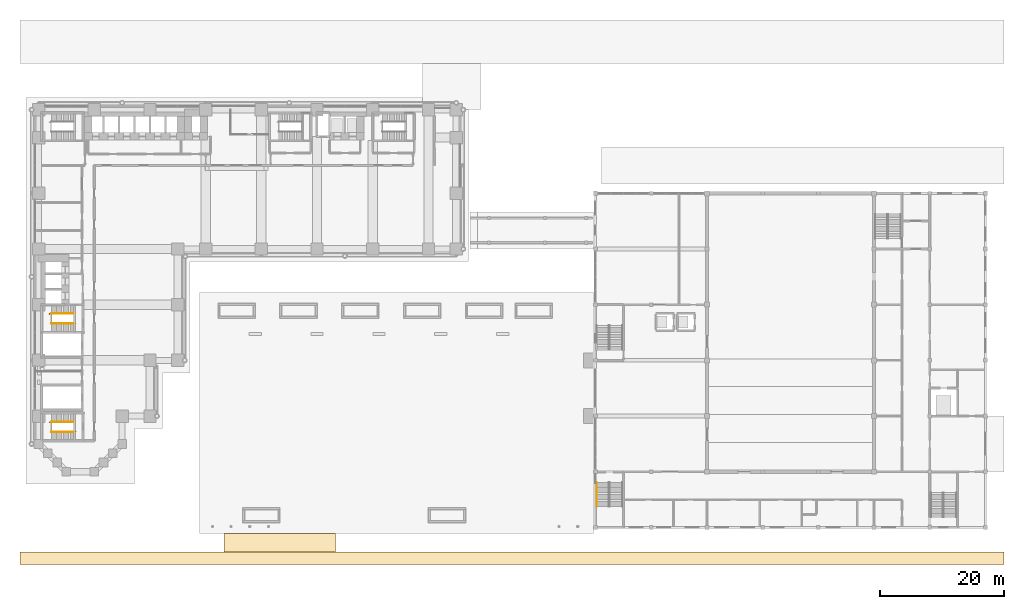
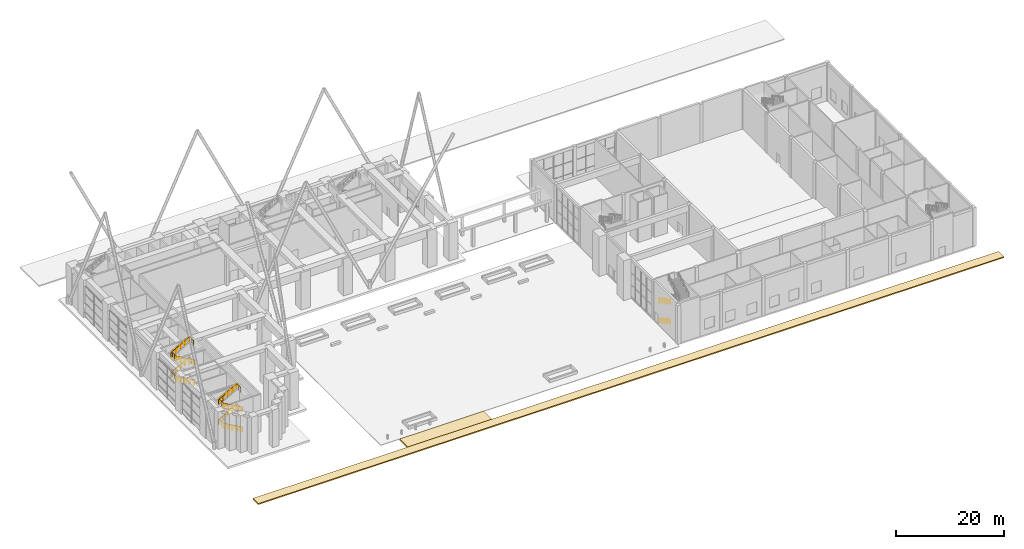
# One storey, part 38 of 44: 12 railings, 2 coverings.
"""IFC4 building model written with IfcOpenShell, lengths in metres."""

from ifc_helpers import new_model, si_unit, direction, frame, origin, origin_2d, place, context, subcontext, project, spatial, polyline, circle, outline, extrude, material, layer, layer_set, type_object, element, save


model = new_model("IFC4")

# Units and contexts
model_context = context("Model", 3, precision=1e-05, world=origin(), true_north=direction((0.0, 1.0)))
body_context = subcontext(model_context, "Body", "Model", "MODEL_VIEW")
ifc_project = project(units=[si_unit("LENGTHUNIT", "METRE"), si_unit("AREAUNIT", "SQUARE_METRE"), si_unit("VOLUMEUNIT", "CUBIC_METRE"), si_unit("PLANEANGLEUNIT", "RADIAN"), si_unit("MASSUNIT", "GRAM", prefix="KILO")], contexts=[model_context])

# Site, building, storey
site_placement = place(None, origin())
site = spatial("IfcSite", under=ifc_project, at=site_placement, CompositionType="ELEMENT")
building_placement = place(site_placement, origin())
building = spatial("IfcBuilding", under=site, at=building_placement, Name="Firuza Court", CompositionType="ELEMENT")
storey_placement = place(building_placement, origin())
storey = spatial("IfcBuildingStorey", under=building, at=storey_placement, Name="L00", CompositionType="ELEMENT", Elevation=0.0)

# Railings
ifc_material_1 = material(Name="Steel S355", Category="steel")
railing_type_1 = type_object("IfcRailingType", Name="HALL HANDRAIL 900", PredefinedType="HANDRAIL", material=ifc_material_1)
railing_1_placement = place(storey_placement, frame((90.18994140625, -1.830078125, 0.219482421875)))
element("IfcRailing", 1, at=railing_1_placement, inside=storey, type_object=railing_type_1, Name="Stair H1 flight 1 handrail L00", PredefinedType="HANDRAIL", context=body_context, shape_type="SweptSolid", body=[
    extrude(circle(Radius=0.02099609375, at=origin_2d()), frame((0.0, 0.0, 0.87890625), z_axis=(0.0, -0.881466463809, 0.47224662326), x_axis=(1.0, 0.0, 0.0)), (0.0, 0.0, 1.0), 4.2998046875),
    extrude(circle(Radius=0.02001953125, at=origin_2d()), origin(), (0.0, 0.0, 1.0), 0.85791015625),
    extrude(circle(Radius=0.02001953125, at=origin_2d()), frame((0.0, -0.947509765625, 0.507568359375)), (0.0, 0.0, 1.0), 0.85791015625),
    extrude(circle(Radius=0.02001953125, at=origin_2d()), frame((0.0, -1.89501953125, 1.01513671875)), (0.0, 0.0, 1.0), 0.85791015625),
    extrude(circle(Radius=0.02001953125, at=origin_2d()), frame((0.0, -2.842529296875, 1.52294921875)), (0.0, 0.0, 1.0), 0.85791015625),
    extrude(circle(Radius=0.02001953125, at=origin_2d()), frame((0.0, -3.7900390625, 2.030517578125)), (0.0, 0.0, 1.0), 0.85791015625),
])
railing_2_placement = place(storey_placement, frame((90.18994140625, -1.699951171875, 4.64990234375)))
element("IfcRailing", 2, at=railing_2_placement, inside=storey, type_object=railing_type_1, Name="Stair H1 flight 3 handrail L00", PredefinedType="HANDRAIL", context=body_context, shape_type="SweptSolid", body=[
    extrude(circle(Radius=0.02099609375, at=origin_2d()), frame((0.0, 0.0, 0.87890625), z_axis=(0.0, -0.881479153919, 0.472222935917), x_axis=(1.0, 0.0, 0.0)), (0.0, 0.0, 1.0), 4.447265625),
    extrude(circle(Radius=0.02001953125, at=origin_2d()), origin(), (0.0, 0.0, 1.0), 0.85791015625),
    extrude(circle(Radius=0.02001953125, at=origin_2d()), frame((0.0, -0.97998046875, 0.52490234375)), (0.0, 0.0, 1.0), 0.85791015625),
    extrude(circle(Radius=0.02001953125, at=origin_2d()), frame((0.0, -1.9599609375, 1.050048828125)), (0.0, 0.0, 1.0), 0.85791015625),
    extrude(circle(Radius=0.02001953125, at=origin_2d()), frame((0.0, -2.940185546875, 1.5751953125)), (0.0, 0.0, 1.0), 0.85791015625),
    extrude(circle(Radius=0.02001953125, at=origin_2d()), frame((0.0, -3.920166015625, 2.10009765625)), (0.0, 0.0, 1.0), 0.85791015625),
])

# Coverings
ifc_material_2 = material(Name="Asphalt paving")
ifc_layer = layer(ifc_material_2, 0.25)
ifc_layer_set = layer_set([ifc_layer], Name="Asphalt paving")
covering_type = type_object("IfcCoveringType", Name="HALL ROAD PAVING 250", PredefinedType="FLOORING", material=ifc_layer_set)
covering_1_placement = place(storey_placement, frame((0.0, 0.0, -0.25)))
element("IfcCovering", 3, at=covering_1_placement, inside=storey, type_object=covering_type, Name="Fire lane and service lane paving", PredefinedType="FLOORING", context=body_context, shape_type="SweptSolid", body=[
    extrude(outline(polyline([(156.0, -13.0), (156.0, -15.0), (-3.0, -15.0), (-3.0, -13.0), (156.0, -13.0)])), origin(), (0.0, 0.0, 1.0), 0.25),
])
covering_2_placement = place(storey_placement, frame((0.0, 0.0, -0.25)))
element("IfcCovering", 4, at=covering_2_placement, inside=storey, type_object=covering_type, Name="Drop-off lay-by paving", PredefinedType="FLOORING", context=body_context, shape_type="SweptSolid", body=[
    extrude(outline(polyline([(30.0, -10.0), (48.0, -10.0), (48.0, -13.0), (30.0, -13.0), (30.0, -10.0)])), origin(), (0.0, 0.0, 1.0), 0.25),
])

# Railings
ifc_material_3 = material(Name="Steel S355", Category="steel")
railing_type_2 = type_object("IfcRailingType", Name="Handrail 900", PredefinedType="HANDRAIL", material=ifc_material_3)
railing_3_placement = place(storey_placement, frame((5.699951171875, 23.949951171875, 0.16064453125)))
element("IfcRailing", 5, at=railing_3_placement, inside=storey, type_object=railing_type_2, Name="Handrail S2 flight 1", PredefinedType="HANDRAIL", context=body_context, shape_type="SweptSolid", body=[
    extrude(circle(Radius=0.02490234375, at=origin_2d()), frame((0.0, 0.0, 0.875), z_axis=(-0.8672749571, 0.0, 0.497829437445), x_axis=(0.0, -1.0, 0.0)), (0.0, 0.0, 1.0), 4.197021484375),
    extrude(circle(Radius=0.02001953125, at=origin_2d()), origin(), (0.0, 0.0, 1.0), 0.849853515625),
    extrude(circle(Radius=0.02001953125, at=origin_2d()), frame((-0.909912109375, 0.0, 0.5224609375)), (0.0, 0.0, 1.0), 0.849853515625),
    extrude(circle(Radius=0.02001953125, at=origin_2d()), frame((-1.81982421875, 0.0, 1.044677734375)), (0.0, 0.0, 1.0), 0.849853515625),
    extrude(circle(Radius=0.02001953125, at=origin_2d()), frame((-2.72998046875, 0.0, 1.56689453125)), (0.0, 0.0, 1.0), 0.849853515625),
    extrude(circle(Radius=0.02001953125, at=origin_2d()), frame((-3.639892578125, 0.0, 2.08935546875)), (0.0, 0.0, 1.0), 0.849853515625),
])
railing_4_placement = place(storey_placement, frame((2.06005859375, 25.550048828125, 2.41064453125)))
element("IfcRailing", 6, at=railing_4_placement, inside=storey, type_object=railing_type_2, Name="Handrail S2 flight 2", PredefinedType="HANDRAIL", context=body_context, shape_type="SweptSolid", body=[
    extrude(circle(Radius=0.02490234375, at=origin_2d()), frame((0.0, 0.0, 0.875), z_axis=(0.8672749571, 0.0, 0.497829437445), x_axis=(0.0, 1.0, 0.0)), (0.0, 0.0, 1.0), 4.197021484375),
    extrude(circle(Radius=0.02001953125, at=origin_2d()), origin(), (0.0, 0.0, 1.0), 0.849853515625),
    extrude(circle(Radius=0.02001953125, at=origin_2d()), frame((0.909912109375, 0.0, 0.5224609375)), (0.0, 0.0, 1.0), 0.849853515625),
    extrude(circle(Radius=0.02001953125, at=origin_2d()), frame((1.81982421875, 0.0, 1.044677734375)), (0.0, 0.0, 1.0), 0.849853515625),
    extrude(circle(Radius=0.02001953125, at=origin_2d()), frame((2.72998046875, 0.0, 1.56689453125)), (0.0, 0.0, 1.0), 0.849853515625),
    extrude(circle(Radius=0.02001953125, at=origin_2d()), frame((3.639892578125, 0.0, 2.08935546875)), (0.0, 0.0, 1.0), 0.849853515625),
])
railing_5_placement = place(storey_placement, frame((5.699951171875, 23.949951171875, 4.66064453125)))
element("IfcRailing", 7, at=railing_5_placement, inside=storey, type_object=railing_type_2, Name="Handrail S2 flight 3", PredefinedType="HANDRAIL", context=body_context, shape_type="SweptSolid", body=[
    extrude(circle(Radius=0.02490234375, at=origin_2d()), frame((0.0, 0.0, 0.875), z_axis=(-0.8672749571, 0.0, 0.497829437445), x_axis=(0.0, -1.0, 0.0)), (0.0, 0.0, 1.0), 4.197021484375),
    extrude(circle(Radius=0.02001953125, at=origin_2d()), origin(), (0.0, 0.0, 1.0), 0.849853515625),
    extrude(circle(Radius=0.02001953125, at=origin_2d()), frame((-0.909912109375, 0.0, 0.5224609375)), (0.0, 0.0, 1.0), 0.849853515625),
    extrude(circle(Radius=0.02001953125, at=origin_2d()), frame((-1.81982421875, 0.0, 1.044677734375)), (0.0, 0.0, 1.0), 0.849853515625),
    extrude(circle(Radius=0.02001953125, at=origin_2d()), frame((-2.72998046875, 0.0, 1.56689453125)), (0.0, 0.0, 1.0), 0.849853515625),
    extrude(circle(Radius=0.02001953125, at=origin_2d()), frame((-3.639892578125, 0.0, 2.08935546875)), (0.0, 0.0, 1.0), 0.849853515625),
])
railing_6_placement = place(storey_placement, frame((2.06005859375, 25.550048828125, 6.91064453125)))
element("IfcRailing", 8, at=railing_6_placement, inside=storey, type_object=railing_type_2, Name="Handrail S2 flight 4", PredefinedType="HANDRAIL", context=body_context, shape_type="SweptSolid", body=[
    extrude(circle(Radius=0.02490234375, at=origin_2d()), frame((0.0, 0.0, 0.875), z_axis=(0.8672749571, 0.0, 0.497829437445), x_axis=(0.0, 1.0, 0.0)), (0.0, 0.0, 1.0), 4.197021484375),
    extrude(circle(Radius=0.02001953125, at=origin_2d()), origin(), (0.0, 0.0, 1.0), 0.849853515625),
    extrude(circle(Radius=0.02001953125, at=origin_2d()), frame((0.909912109375, 0.0, 0.5224609375)), (0.0, 0.0, 1.0), 0.849853515625),
    extrude(circle(Radius=0.02001953125, at=origin_2d()), frame((1.81982421875, 0.0, 1.044677734375)), (0.0, 0.0, 1.0), 0.849853515625),
    extrude(circle(Radius=0.02001953125, at=origin_2d()), frame((2.72998046875, 0.0, 1.56689453125)), (0.0, 0.0, 1.0), 0.849853515625),
    extrude(circle(Radius=0.02001953125, at=origin_2d()), frame((3.639892578125, 0.0, 2.08935546875)), (0.0, 0.0, 1.0), 0.849853515625),
])
railing_7_placement = place(storey_placement, frame((5.699951171875, 6.449951171875, 0.16064453125)))
element("IfcRailing", 9, at=railing_7_placement, inside=storey, type_object=railing_type_2, Name="Handrail S5 flight 1", PredefinedType="HANDRAIL", context=body_context, shape_type="SweptSolid", body=[
    extrude(circle(Radius=0.02490234375, at=origin_2d()), frame((0.0, 0.0, 0.875), z_axis=(-0.8672749571, 0.0, 0.497829437445), x_axis=(0.0, -1.0, 0.0)), (0.0, 0.0, 1.0), 4.197021484375),
    extrude(circle(Radius=0.02001953125, at=origin_2d()), origin(), (0.0, 0.0, 1.0), 0.849853515625),
    extrude(circle(Radius=0.02001953125, at=origin_2d()), frame((-0.909912109375, 0.0, 0.5224609375)), (0.0, 0.0, 1.0), 0.849853515625),
    extrude(circle(Radius=0.02001953125, at=origin_2d()), frame((-1.81982421875, 0.0, 1.044677734375)), (0.0, 0.0, 1.0), 0.849853515625),
    extrude(circle(Radius=0.02001953125, at=origin_2d()), frame((-2.72998046875, 0.0, 1.56689453125)), (0.0, 0.0, 1.0), 0.849853515625),
    extrude(circle(Radius=0.02001953125, at=origin_2d()), frame((-3.639892578125, 0.0, 2.08935546875)), (0.0, 0.0, 1.0), 0.849853515625),
])
railing_8_placement = place(storey_placement, frame((2.06005859375, 8.050048828125, 2.41064453125)))
element("IfcRailing", 10, at=railing_8_placement, inside=storey, type_object=railing_type_2, Name="Handrail S5 flight 2", PredefinedType="HANDRAIL", context=body_context, shape_type="SweptSolid", body=[
    extrude(circle(Radius=0.02490234375, at=origin_2d()), frame((0.0, 0.0, 0.875), z_axis=(0.8672749571, 0.0, 0.497829437445), x_axis=(0.0, 1.0, 0.0)), (0.0, 0.0, 1.0), 4.197021484375),
    extrude(circle(Radius=0.02001953125, at=origin_2d()), origin(), (0.0, 0.0, 1.0), 0.849853515625),
    extrude(circle(Radius=0.02001953125, at=origin_2d()), frame((0.909912109375, 0.0, 0.5224609375)), (0.0, 0.0, 1.0), 0.849853515625),
    extrude(circle(Radius=0.02001953125, at=origin_2d()), frame((1.81982421875, 0.0, 1.044677734375)), (0.0, 0.0, 1.0), 0.849853515625),
    extrude(circle(Radius=0.02001953125, at=origin_2d()), frame((2.72998046875, 0.0, 1.56689453125)), (0.0, 0.0, 1.0), 0.849853515625),
    extrude(circle(Radius=0.02001953125, at=origin_2d()), frame((3.639892578125, 0.0, 2.08935546875)), (0.0, 0.0, 1.0), 0.849853515625),
])
railing_9_placement = place(storey_placement, frame((5.699951171875, 6.449951171875, 4.66064453125)))
element("IfcRailing", 11, at=railing_9_placement, inside=storey, type_object=railing_type_2, Name="Handrail S5 flight 3", PredefinedType="HANDRAIL", context=body_context, shape_type="SweptSolid", body=[
    extrude(circle(Radius=0.02490234375, at=origin_2d()), frame((0.0, 0.0, 0.875), z_axis=(-0.8672749571, 0.0, 0.497829437445), x_axis=(0.0, -1.0, 0.0)), (0.0, 0.0, 1.0), 4.197021484375),
    extrude(circle(Radius=0.02001953125, at=origin_2d()), origin(), (0.0, 0.0, 1.0), 0.849853515625),
    extrude(circle(Radius=0.02001953125, at=origin_2d()), frame((-0.909912109375, 0.0, 0.5224609375)), (0.0, 0.0, 1.0), 0.849853515625),
    extrude(circle(Radius=0.02001953125, at=origin_2d()), frame((-1.81982421875, 0.0, 1.044677734375)), (0.0, 0.0, 1.0), 0.849853515625),
    extrude(circle(Radius=0.02001953125, at=origin_2d()), frame((-2.72998046875, 0.0, 1.56689453125)), (0.0, 0.0, 1.0), 0.849853515625),
    extrude(circle(Radius=0.02001953125, at=origin_2d()), frame((-3.639892578125, 0.0, 2.08935546875)), (0.0, 0.0, 1.0), 0.849853515625),
])
railing_10_placement = place(storey_placement, frame((2.06005859375, 8.050048828125, 6.91064453125)))
element("IfcRailing", 12, at=railing_10_placement, inside=storey, type_object=railing_type_2, Name="Handrail S5 flight 4", PredefinedType="HANDRAIL", context=body_context, shape_type="SweptSolid", body=[
    extrude(circle(Radius=0.02490234375, at=origin_2d()), frame((0.0, 0.0, 0.875), z_axis=(0.8672749571, 0.0, 0.497829437445), x_axis=(0.0, 1.0, 0.0)), (0.0, 0.0, 1.0), 4.197021484375),
    extrude(circle(Radius=0.02001953125, at=origin_2d()), origin(), (0.0, 0.0, 1.0), 0.849853515625),
    extrude(circle(Radius=0.02001953125, at=origin_2d()), frame((0.909912109375, 0.0, 0.5224609375)), (0.0, 0.0, 1.0), 0.849853515625),
    extrude(circle(Radius=0.02001953125, at=origin_2d()), frame((1.81982421875, 0.0, 1.044677734375)), (0.0, 0.0, 1.0), 0.849853515625),
    extrude(circle(Radius=0.02001953125, at=origin_2d()), frame((2.72998046875, 0.0, 1.56689453125)), (0.0, 0.0, 1.0), 0.849853515625),
    extrude(circle(Radius=0.02001953125, at=origin_2d()), frame((3.639892578125, 0.0, 2.08935546875)), (0.0, 0.0, 1.0), 0.849853515625),
])
ifc_material_4 = material(Name="Steel S355", Category="steel")
railing_type_3 = type_object("IfcRailingType", Name="Stair guard 1100", PredefinedType="GUARDRAIL", material=ifc_material_4)
railing_11_placement = place(storey_placement, frame((5.97998046875, 24.010009765625, 0.0)))
element("IfcRailing", 13, at=railing_11_placement, inside=storey, type_object=railing_type_3, Name="Stair well guard S2", PredefinedType="GUARDRAIL", context=body_context, shape_type="SweptSolid", body=[
    extrude(circle(Radius=0.02490234375, at=origin_2d()), frame((0.0, 0.0, 1.0751953125), z_axis=(-0.867284192427, 0.0, 0.49781334812), x_axis=(0.0, -1.0, 0.0)), (0.0, 0.0, 1.0), 4.519775390625),
    extrude(circle(Radius=0.02490234375, at=origin_2d()), frame((-3.919921875, 0.0, 3.3251953125), z_axis=(0.0, 1.0, 0.0), x_axis=(-1.0, 0.0, 0.0)), (0.0, 0.0, 1.0), 1.47998046875),
    extrude(circle(Radius=0.02490234375, at=origin_2d()), frame((-3.919921875, 1.47998046875, 3.3251953125), z_axis=(-1.0, 0.0, 0.0), x_axis=(0.0, -1.0, 0.0)), (0.0, 0.0, 1.0), 0.280029296875),
    extrude(circle(Radius=0.02490234375, at=origin_2d()), frame((-4.199951171875, 1.47998046875, 3.3251953125), z_axis=(0.867284192427, 0.0, 0.49781334812), x_axis=(0.0, 1.0, 0.0)), (0.0, 0.0, 1.0), 4.519775390625),
    extrude(circle(Radius=0.02490234375, at=origin_2d()), frame((-0.280029296875, 1.47998046875, 5.5751953125), z_axis=(0.0, -1.0, 0.0), x_axis=(1.0, 0.0, 0.0)), (0.0, 0.0, 1.0), 1.47998046875),
    extrude(circle(Radius=0.02490234375, at=origin_2d()), frame((-0.280029296875, 0.0, 5.5751953125), z_axis=(1.0, 0.0, 0.0), x_axis=(0.0, 1.0, 0.0)), (0.0, 0.0, 1.0), 0.280029296875),
    extrude(circle(Radius=0.02490234375, at=origin_2d()), frame((0.0, 0.0, 5.5751953125), z_axis=(-0.867284192427, 0.0, 0.49781334812), x_axis=(0.0, -1.0, 0.0)), (0.0, 0.0, 1.0), 4.519775390625),
    extrude(circle(Radius=0.02490234375, at=origin_2d()), frame((-3.919921875, 0.0, 7.8251953125), z_axis=(0.0, 1.0, 0.0), x_axis=(-1.0, 0.0, 0.0)), (0.0, 0.0, 1.0), 1.47998046875),
    extrude(circle(Radius=0.02490234375, at=origin_2d()), frame((-3.919921875, 1.47998046875, 7.8251953125), z_axis=(-1.0, 0.0, 0.0), x_axis=(0.0, -1.0, 0.0)), (0.0, 0.0, 1.0), 0.280029296875),
    extrude(circle(Radius=0.02490234375, at=origin_2d()), frame((-4.199951171875, 1.47998046875, 7.8251953125), z_axis=(0.867284192427, 0.0, 0.49781334812), x_axis=(0.0, 1.0, 0.0)), (0.0, 0.0, 1.0), 4.519775390625),
    extrude(circle(Radius=0.02490234375, at=origin_2d()), frame((-0.280029296875, 1.47998046875, 10.0751953125), z_axis=(0.0, -1.0, 0.0), x_axis=(1.0, 0.0, 0.0)), (0.0, 0.0, 1.0), 1.47998046875),
    extrude(circle(Radius=0.02490234375, at=origin_2d()), origin(), (0.0, 0.0, 1.0), 1.050048828125),
    extrude(circle(Radius=0.02490234375, at=origin_2d()), frame((-0.97998046875, 0.0, 0.5625)), (0.0, 0.0, 1.0), 1.050048828125),
    extrude(circle(Radius=0.02490234375, at=origin_2d()), frame((-1.9599609375, 0.0, 1.125)), (0.0, 0.0, 1.0), 1.050048828125),
    extrude(circle(Radius=0.02490234375, at=origin_2d()), frame((-2.93994140625, 0.0, 1.6875)), (0.0, 0.0, 1.0), 1.050048828125),
    extrude(circle(Radius=0.02490234375, at=origin_2d()), frame((-3.919921875, 0.0, 2.25)), (0.0, 0.0, 1.0), 1.050048828125),
    extrude(circle(Radius=0.02490234375, at=origin_2d()), frame((-3.919921875, 0.739990234375, 2.25)), (0.0, 0.0, 1.0), 1.050048828125),
    extrude(circle(Radius=0.02490234375, at=origin_2d()), frame((-3.919921875, 1.47998046875, 2.25)), (0.0, 0.0, 1.0), 1.050048828125),
    extrude(circle(Radius=0.02490234375, at=origin_2d()), frame((-4.199951171875, 1.47998046875, 2.25)), (0.0, 0.0, 1.0), 1.050048828125),
    extrude(circle(Radius=0.02490234375, at=origin_2d()), frame((-3.219970703125, 1.47998046875, 2.8125)), (0.0, 0.0, 1.0), 1.050048828125),
    extrude(circle(Radius=0.02490234375, at=origin_2d()), frame((-2.239990234375, 1.47998046875, 3.375)), (0.0, 0.0, 1.0), 1.050048828125),
    extrude(circle(Radius=0.02490234375, at=origin_2d()), frame((-1.260009765625, 1.47998046875, 3.9375)), (0.0, 0.0, 1.0), 1.050048828125),
    extrude(circle(Radius=0.02490234375, at=origin_2d()), frame((-0.280029296875, 1.47998046875, 4.5)), (0.0, 0.0, 1.0), 1.050048828125),
    extrude(circle(Radius=0.02490234375, at=origin_2d()), frame((-0.280029296875, 0.739990234375, 4.5)), (0.0, 0.0, 1.0), 1.050048828125),
    extrude(circle(Radius=0.02490234375, at=origin_2d()), frame((-0.280029296875, 0.0, 4.5)), (0.0, 0.0, 1.0), 1.050048828125),
    extrude(circle(Radius=0.02490234375, at=origin_2d()), frame((0.0, 0.0, 4.5)), (0.0, 0.0, 1.0), 1.050048828125),
    extrude(circle(Radius=0.02490234375, at=origin_2d()), frame((-0.97998046875, 0.0, 5.0625)), (0.0, 0.0, 1.0), 1.050048828125),
    extrude(circle(Radius=0.02490234375, at=origin_2d()), frame((-1.9599609375, 0.0, 5.625)), (0.0, 0.0, 1.0), 1.050048828125),
    extrude(circle(Radius=0.02490234375, at=origin_2d()), frame((-2.93994140625, 0.0, 6.1875)), (0.0, 0.0, 1.0), 1.050048828125),
    extrude(circle(Radius=0.02490234375, at=origin_2d()), frame((-3.919921875, 0.0, 6.75)), (0.0, 0.0, 1.0), 1.050048828125),
    extrude(circle(Radius=0.02490234375, at=origin_2d()), frame((-3.919921875, 0.739990234375, 6.75)), (0.0, 0.0, 1.0), 1.050048828125),
    extrude(circle(Radius=0.02490234375, at=origin_2d()), frame((-3.919921875, 1.47998046875, 6.75)), (0.0, 0.0, 1.0), 1.050048828125),
    extrude(circle(Radius=0.02490234375, at=origin_2d()), frame((-4.199951171875, 1.47998046875, 6.75)), (0.0, 0.0, 1.0), 1.050048828125),
    extrude(circle(Radius=0.02490234375, at=origin_2d()), frame((-3.219970703125, 1.47998046875, 7.3125)), (0.0, 0.0, 1.0), 1.050048828125),
    extrude(circle(Radius=0.02490234375, at=origin_2d()), frame((-2.239990234375, 1.47998046875, 7.875)), (0.0, 0.0, 1.0), 1.050048828125),
    extrude(circle(Radius=0.02490234375, at=origin_2d()), frame((-1.260009765625, 1.47998046875, 8.4375)), (0.0, 0.0, 1.0), 1.050048828125),
    extrude(circle(Radius=0.02490234375, at=origin_2d()), frame((-0.280029296875, 1.47998046875, 9.0)), (0.0, 0.0, 1.0), 1.050048828125),
    extrude(circle(Radius=0.02490234375, at=origin_2d()), frame((-0.280029296875, 0.739990234375, 9.0)), (0.0, 0.0, 1.0), 1.050048828125),
    extrude(circle(Radius=0.02490234375, at=origin_2d()), frame((-0.280029296875, 0.0, 9.0)), (0.0, 0.0, 1.0), 1.050048828125),
])
railing_12_placement = place(storey_placement, frame((5.97998046875, 6.510009765625, 0.0)))
element("IfcRailing", 14, at=railing_12_placement, inside=storey, type_object=railing_type_3, Name="Stair well guard S5", PredefinedType="GUARDRAIL", context=body_context, shape_type="SweptSolid", body=[
    extrude(circle(Radius=0.02490234375, at=origin_2d()), frame((0.0, 0.0, 1.0751953125), z_axis=(-0.867284192427, 0.0, 0.49781334812), x_axis=(0.0, -1.0, 0.0)), (0.0, 0.0, 1.0), 4.519775390625),
    extrude(circle(Radius=0.02490234375, at=origin_2d()), frame((-3.919921875, 0.0, 3.3251953125), z_axis=(0.0, 1.0, 0.0), x_axis=(-1.0, 0.0, 0.0)), (0.0, 0.0, 1.0), 1.47998046875),
    extrude(circle(Radius=0.02490234375, at=origin_2d()), frame((-3.919921875, 1.47998046875, 3.3251953125), z_axis=(-1.0, 0.0, 0.0), x_axis=(0.0, -1.0, 0.0)), (0.0, 0.0, 1.0), 0.280029296875),
    extrude(circle(Radius=0.02490234375, at=origin_2d()), frame((-4.199951171875, 1.47998046875, 3.3251953125), z_axis=(0.867284192427, 0.0, 0.49781334812), x_axis=(0.0, 1.0, 0.0)), (0.0, 0.0, 1.0), 4.519775390625),
    extrude(circle(Radius=0.02490234375, at=origin_2d()), frame((-0.280029296875, 1.47998046875, 5.5751953125), z_axis=(0.0, -1.0, 0.0), x_axis=(1.0, 0.0, 0.0)), (0.0, 0.0, 1.0), 1.47998046875),
    extrude(circle(Radius=0.02490234375, at=origin_2d()), frame((-0.280029296875, 0.0, 5.5751953125), z_axis=(1.0, 0.0, 0.0), x_axis=(0.0, 1.0, 0.0)), (0.0, 0.0, 1.0), 0.280029296875),
    extrude(circle(Radius=0.02490234375, at=origin_2d()), frame((0.0, 0.0, 5.5751953125), z_axis=(-0.867284192427, 0.0, 0.49781334812), x_axis=(0.0, -1.0, 0.0)), (0.0, 0.0, 1.0), 4.519775390625),
    extrude(circle(Radius=0.02490234375, at=origin_2d()), frame((-3.919921875, 0.0, 7.8251953125), z_axis=(0.0, 1.0, 0.0), x_axis=(-1.0, 0.0, 0.0)), (0.0, 0.0, 1.0), 1.47998046875),
    extrude(circle(Radius=0.02490234375, at=origin_2d()), frame((-3.919921875, 1.47998046875, 7.8251953125), z_axis=(-1.0, 0.0, 0.0), x_axis=(0.0, -1.0, 0.0)), (0.0, 0.0, 1.0), 0.280029296875),
    extrude(circle(Radius=0.02490234375, at=origin_2d()), frame((-4.199951171875, 1.47998046875, 7.8251953125), z_axis=(0.867284192427, 0.0, 0.49781334812), x_axis=(0.0, 1.0, 0.0)), (0.0, 0.0, 1.0), 4.519775390625),
    extrude(circle(Radius=0.02490234375, at=origin_2d()), frame((-0.280029296875, 1.47998046875, 10.0751953125), z_axis=(0.0, -1.0, 0.0), x_axis=(1.0, 0.0, 0.0)), (0.0, 0.0, 1.0), 1.47998046875),
    extrude(circle(Radius=0.02490234375, at=origin_2d()), origin(), (0.0, 0.0, 1.0), 1.050048828125),
    extrude(circle(Radius=0.02490234375, at=origin_2d()), frame((-0.97998046875, 0.0, 0.5625)), (0.0, 0.0, 1.0), 1.050048828125),
    extrude(circle(Radius=0.02490234375, at=origin_2d()), frame((-1.9599609375, 0.0, 1.125)), (0.0, 0.0, 1.0), 1.050048828125),
    extrude(circle(Radius=0.02490234375, at=origin_2d()), frame((-2.93994140625, 0.0, 1.6875)), (0.0, 0.0, 1.0), 1.050048828125),
    extrude(circle(Radius=0.02490234375, at=origin_2d()), frame((-3.919921875, 0.0, 2.25)), (0.0, 0.0, 1.0), 1.050048828125),
    extrude(circle(Radius=0.02490234375, at=origin_2d()), frame((-3.919921875, 0.739990234375, 2.25)), (0.0, 0.0, 1.0), 1.050048828125),
    extrude(circle(Radius=0.02490234375, at=origin_2d()), frame((-3.919921875, 1.47998046875, 2.25)), (0.0, 0.0, 1.0), 1.050048828125),
    extrude(circle(Radius=0.02490234375, at=origin_2d()), frame((-4.199951171875, 1.47998046875, 2.25)), (0.0, 0.0, 1.0), 1.050048828125),
    extrude(circle(Radius=0.02490234375, at=origin_2d()), frame((-3.219970703125, 1.47998046875, 2.8125)), (0.0, 0.0, 1.0), 1.050048828125),
    extrude(circle(Radius=0.02490234375, at=origin_2d()), frame((-2.239990234375, 1.47998046875, 3.375)), (0.0, 0.0, 1.0), 1.050048828125),
    extrude(circle(Radius=0.02490234375, at=origin_2d()), frame((-1.260009765625, 1.47998046875, 3.9375)), (0.0, 0.0, 1.0), 1.050048828125),
    extrude(circle(Radius=0.02490234375, at=origin_2d()), frame((-0.280029296875, 1.47998046875, 4.5)), (0.0, 0.0, 1.0), 1.050048828125),
    extrude(circle(Radius=0.02490234375, at=origin_2d()), frame((-0.280029296875, 0.739990234375, 4.5)), (0.0, 0.0, 1.0), 1.050048828125),
    extrude(circle(Radius=0.02490234375, at=origin_2d()), frame((-0.280029296875, 0.0, 4.5)), (0.0, 0.0, 1.0), 1.050048828125),
    extrude(circle(Radius=0.02490234375, at=origin_2d()), frame((0.0, 0.0, 4.5)), (0.0, 0.0, 1.0), 1.050048828125),
    extrude(circle(Radius=0.02490234375, at=origin_2d()), frame((-0.97998046875, 0.0, 5.0625)), (0.0, 0.0, 1.0), 1.050048828125),
    extrude(circle(Radius=0.02490234375, at=origin_2d()), frame((-1.9599609375, 0.0, 5.625)), (0.0, 0.0, 1.0), 1.050048828125),
    extrude(circle(Radius=0.02490234375, at=origin_2d()), frame((-2.93994140625, 0.0, 6.1875)), (0.0, 0.0, 1.0), 1.050048828125),
    extrude(circle(Radius=0.02490234375, at=origin_2d()), frame((-3.919921875, 0.0, 6.75)), (0.0, 0.0, 1.0), 1.050048828125),
    extrude(circle(Radius=0.02490234375, at=origin_2d()), frame((-3.919921875, 0.739990234375, 6.75)), (0.0, 0.0, 1.0), 1.050048828125),
    extrude(circle(Radius=0.02490234375, at=origin_2d()), frame((-3.919921875, 1.47998046875, 6.75)), (0.0, 0.0, 1.0), 1.050048828125),
    extrude(circle(Radius=0.02490234375, at=origin_2d()), frame((-4.199951171875, 1.47998046875, 6.75)), (0.0, 0.0, 1.0), 1.050048828125),
    extrude(circle(Radius=0.02490234375, at=origin_2d()), frame((-3.219970703125, 1.47998046875, 7.3125)), (0.0, 0.0, 1.0), 1.050048828125),
    extrude(circle(Radius=0.02490234375, at=origin_2d()), frame((-2.239990234375, 1.47998046875, 7.875)), (0.0, 0.0, 1.0), 1.050048828125),
    extrude(circle(Radius=0.02490234375, at=origin_2d()), frame((-1.260009765625, 1.47998046875, 8.4375)), (0.0, 0.0, 1.0), 1.050048828125),
    extrude(circle(Radius=0.02490234375, at=origin_2d()), frame((-0.280029296875, 1.47998046875, 9.0)), (0.0, 0.0, 1.0), 1.050048828125),
    extrude(circle(Radius=0.02490234375, at=origin_2d()), frame((-0.280029296875, 0.739990234375, 9.0)), (0.0, 0.0, 1.0), 1.050048828125),
    extrude(circle(Radius=0.02490234375, at=origin_2d()), frame((-0.280029296875, 0.0, 9.0)), (0.0, 0.0, 1.0), 1.050048828125),
])

save(model, "model.ifc")
